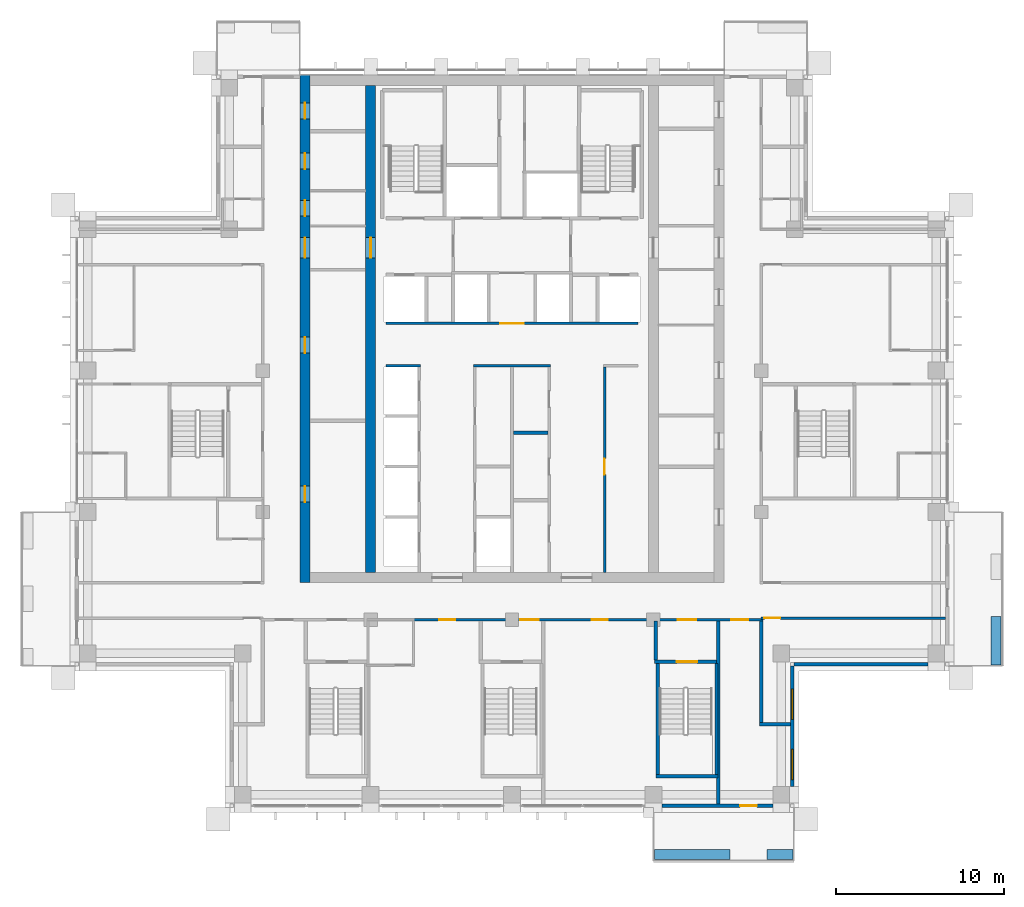
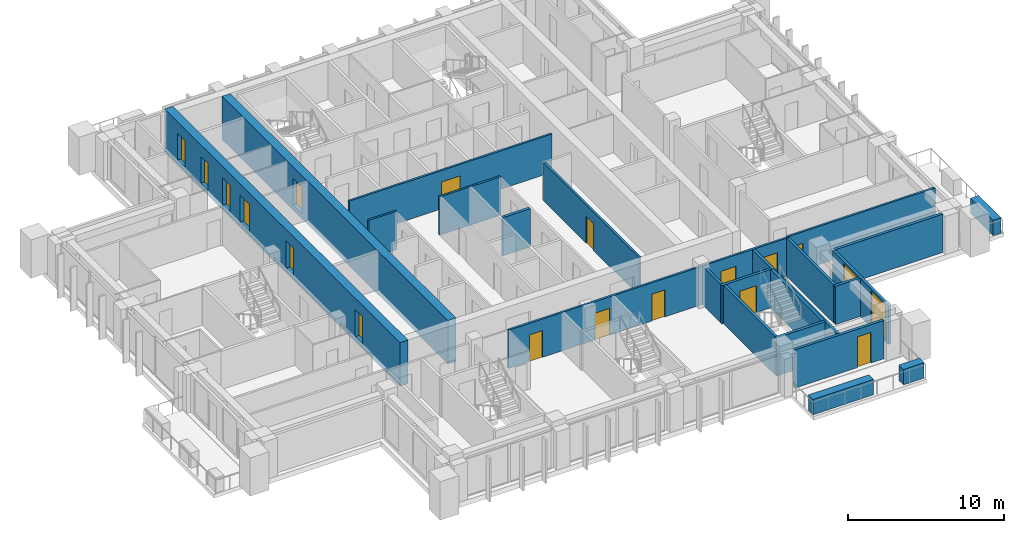
# One storey, part 11 of 19: 23 walls, 17 doors, 2 windows, 19 openings.
"""IFC4 building model written with IfcOpenShell, lengths in metres."""

from ifc_helpers import new_model, si_unit, direction, frame, frame_2d, origin, place, context, subcontext, project, spatial, rectangle, extrude, material, layer, layer_set, type_object, element, fill, save


model = new_model("IFC4")

# Units and contexts
model_context = context("Model", 3, precision=1e-05, world=origin(), true_north=direction((0.0, 1.0)))
body_context = subcontext(model_context, "Body", "Model", "MODEL_VIEW")
ifc_project = project(units=[si_unit("LENGTHUNIT", "METRE"), si_unit("AREAUNIT", "SQUARE_METRE"), si_unit("VOLUMEUNIT", "CUBIC_METRE"), si_unit("PLANEANGLEUNIT", "RADIAN"), si_unit("MASSUNIT", "GRAM", prefix="KILO")], contexts=[model_context])

# Site, building, storey
site_placement = place(None, origin())
site = spatial("IfcSite", under=ifc_project, at=site_placement, CompositionType="ELEMENT")
building_placement = place(site_placement, origin())
building = spatial("IfcBuilding", under=site, at=building_placement, Name="Vermilion Ogive Tower", CompositionType="ELEMENT")
storey_placement = place(building_placement, frame((0.0, 0.0, 213.5)))
storey = spatial("IfcBuildingStorey", under=building, at=storey_placement, Name="L56", CompositionType="ELEMENT", Elevation=213.5)

# Wall, openings, doors
ifc_material_1 = material(Name="Concrete B60", Category="concrete")
ifc_layer_1 = layer(ifc_material_1, 0.60009765625)
ifc_layer_set_1 = layer_set([ifc_layer_1], Name="Core wall 600 B60")
wall_type_1 = type_object("IfcWallType", Name="Core wall 600 B60", PredefinedType="SHEAR", material=ifc_layer_set_1)
wall_1_placement = place(storey_placement, frame((-12.300048828125, -8.39990234375, -0.39990234375), z_axis=(0.0, 0.0, 1.0), x_axis=(0.0, 1.0, 0.0)))
wall_1 = element("IfcWall", 1, at=wall_1_placement, inside=storey, type_object=wall_type_1, Name="L56-CORE-W", PredefinedType="SHEAR", context=body_context, shape_type="SweptSolid", body=[
    extrude(rectangle(XDim=30.14990234375, YDim=0.60009765625, at=frame_2d((15.074951171875, 0.0))), origin(), (0.0, 0.0, 1.0), 3.39990234375),
])
opening_1_placement = place(wall_1_placement, frame((4.78759765625, 0.0, 0.39990234375)))
opening_1 = element("IfcOpeningElement", 2, at=opening_1_placement, cuts=wall_1, Name="Opening DAD095", PredefinedType="OPENING", context=body_context, shape_type="SweptSolid", body=[
    extrude(rectangle(XDim=0.949951171875, YDim=2.10009765625, at=frame_2d((0.47509765625, 1.050048828125))), frame((0.0, 0.31005859375, 0.0), z_axis=(0.0, -1.0, 0.0), x_axis=(1.0, 0.0, 0.0)), (0.0, 0.0, 1.0), 0.6201171875),
])
opening_2_placement = place(wall_1_placement, frame((13.6376953125, 0.0, 0.39990234375)))
opening_2 = element("IfcOpeningElement", 3, at=opening_2_placement, cuts=wall_1, Name="Opening DAD096", PredefinedType="OPENING", context=body_context, shape_type="SweptSolid", body=[
    extrude(rectangle(XDim=0.949951171875, YDim=2.10009765625, at=frame_2d((0.47509765625, 1.050048828125))), frame((0.0, 0.31005859375, 0.0), z_axis=(0.0, -1.0, 0.0), x_axis=(1.0, 0.0, 0.0)), (0.0, 0.0, 1.0), 0.6201171875),
])
opening_3_placement = place(wall_1_placement, frame((21.7705078125, 0.0, 0.39990234375)))
opening_3 = element("IfcOpeningElement", 4, at=opening_3_placement, cuts=wall_1, Name="Opening DAD097", PredefinedType="OPENING", context=body_context, shape_type="SweptSolid", body=[
    extrude(rectangle(XDim=0.949951171875, YDim=2.10009765625, at=frame_2d((0.47509765625, 1.050048828125))), frame((0.0, 0.31005859375, 0.0), z_axis=(0.0, -1.0, 0.0), x_axis=(1.0, 0.0, 0.0)), (0.0, 0.0, 1.0), 0.6201171875),
])
opening_4_placement = place(wall_1_placement, frame((24.57568359375, 0.0, 0.39990234375)))
opening_4 = element("IfcOpeningElement", 5, at=opening_4_placement, cuts=wall_1, Name="Opening DAD098", PredefinedType="OPENING", context=body_context, shape_type="SweptSolid", body=[
    extrude(rectangle(XDim=0.949951171875, YDim=2.10009765625, at=frame_2d((0.47509765625, 1.050048828125))), frame((0.0, 0.31005859375, 0.0), z_axis=(0.0, -1.0, 0.0), x_axis=(1.0, 0.0, 0.0)), (0.0, 0.0, 1.0), 0.6201171875),
])
opening_5_placement = place(wall_1_placement, frame((27.555419921875, 0.0, 0.39990234375)))
opening_5 = element("IfcOpeningElement", 6, at=opening_5_placement, cuts=wall_1, Name="Opening DAD099", PredefinedType="OPENING", context=body_context, shape_type="SweptSolid", body=[
    extrude(rectangle(XDim=0.949951171875, YDim=2.10009765625, at=frame_2d((0.47509765625, 1.050048828125))), frame((0.0, 0.31005859375, 0.0), z_axis=(0.0, -1.0, 0.0), x_axis=(1.0, 0.0, 0.0)), (0.0, 0.0, 1.0), 0.6201171875),
])
opening_6_placement = place(wall_1_placement, frame((19.300048828125, 0.0, 0.39990234375)))
opening_6 = element("IfcOpeningElement", 7, at=opening_6_placement, cuts=wall_1, Name="Opening DAM023", PredefinedType="OPENING", context=body_context, shape_type="SweptSolid", body=[
    extrude(rectangle(XDim=1.199951171875, YDim=2.10009765625, at=frame_2d((0.60009765625, 1.050048828125))), frame((0.0, 0.31005859375, 0.0), z_axis=(0.0, -1.0, 0.0), x_axis=(1.0, 0.0, 0.0)), (0.0, 0.0, 1.0), 0.6201171875),
])
ifc_material_2 = material(Name="Timber door leaf", Category="wood")
door_type_1 = type_object("IfcDoorType", Name="Link door 1200 x 2100 FD60S", OperationType="SINGLE_SWING_LEFT", PredefinedType="DOOR", material=ifc_material_2)
door_1_placement = place(opening_6_placement, origin())
door_1 = element("IfcDoor", 8, at=door_1_placement, inside=storey, type_object=door_type_1, Name="L56-CKW-XL", OperationType="SINGLE_SWING_LEFT", OverallHeight=2.10009765625, OverallWidth=1.199951171875, PredefinedType="DOOR", context=body_context, shape_type="SweptSolid", body=[
    extrude(rectangle(XDim=1.199951171875, YDim=2.10009765625, at=frame_2d((0.60009765625, 1.050048828125))), frame((0.0, 0.02490234375, 0.0), z_axis=(0.0, -1.0, 0.0), x_axis=(1.0, 0.0, 0.0)), (0.0, 0.0, 1.0), 0.050048828125),
])
fill(opening_6, door_1)
ifc_material_3 = material(Name="Timber door leaf", Category="wood")
door_type_2 = type_object("IfcDoorType", Name="Service door 950 x 2100 FD60", OperationType="SINGLE_SWING_LEFT", PredefinedType="DOOR", material=ifc_material_3)
door_2_placement = place(opening_1_placement, origin())
door_2 = element("IfcDoor", 9, at=door_2_placement, inside=storey, type_object=door_type_2, Name="L56-CKW-XR0", OperationType="SINGLE_SWING_LEFT", OverallHeight=2.10009765625, OverallWidth=0.949951171875, PredefinedType="DOOR", context=body_context, shape_type="SweptSolid", body=[
    extrude(rectangle(XDim=0.949951171875, YDim=2.10009765625, at=frame_2d((0.47509765625, 1.050048828125))), frame((0.0, 0.02490234375, 0.0), z_axis=(0.0, -1.0, 0.0), x_axis=(1.0, 0.0, 0.0)), (0.0, 0.0, 1.0), 0.050048828125),
])
fill(opening_1, door_2)
door_3_placement = place(opening_2_placement, origin())
door_3 = element("IfcDoor", 10, at=door_3_placement, inside=storey, type_object=door_type_2, Name="L56-CKW-XR1", OperationType="SINGLE_SWING_LEFT", OverallHeight=2.10009765625, OverallWidth=0.949951171875, PredefinedType="DOOR", context=body_context, shape_type="SweptSolid", body=[
    extrude(rectangle(XDim=0.949951171875, YDim=2.10009765625, at=frame_2d((0.47509765625, 1.050048828125))), frame((0.0, 0.02490234375, 0.0), z_axis=(0.0, -1.0, 0.0), x_axis=(1.0, 0.0, 0.0)), (0.0, 0.0, 1.0), 0.050048828125),
])
fill(opening_2, door_3)
door_4_placement = place(opening_3_placement, origin())
door_4 = element("IfcDoor", 11, at=door_4_placement, inside=storey, type_object=door_type_2, Name="L56-CKW-XR2", OperationType="SINGLE_SWING_LEFT", OverallHeight=2.10009765625, OverallWidth=0.949951171875, PredefinedType="DOOR", context=body_context, shape_type="SweptSolid", body=[
    extrude(rectangle(XDim=0.949951171875, YDim=2.10009765625, at=frame_2d((0.47509765625, 1.050048828125))), frame((0.0, 0.02490234375, 0.0), z_axis=(0.0, -1.0, 0.0), x_axis=(1.0, 0.0, 0.0)), (0.0, 0.0, 1.0), 0.050048828125),
])
fill(opening_3, door_4)
door_5_placement = place(opening_4_placement, origin())
door_5 = element("IfcDoor", 12, at=door_5_placement, inside=storey, type_object=door_type_2, Name="L56-CKW-XR3", OperationType="SINGLE_SWING_LEFT", OverallHeight=2.10009765625, OverallWidth=0.949951171875, PredefinedType="DOOR", context=body_context, shape_type="SweptSolid", body=[
    extrude(rectangle(XDim=0.949951171875, YDim=2.10009765625, at=frame_2d((0.47509765625, 1.050048828125))), frame((0.0, 0.02490234375, 0.0), z_axis=(0.0, -1.0, 0.0), x_axis=(1.0, 0.0, 0.0)), (0.0, 0.0, 1.0), 0.050048828125),
])
fill(opening_4, door_5)
door_6_placement = place(opening_5_placement, origin())
door_6 = element("IfcDoor", 13, at=door_6_placement, inside=storey, type_object=door_type_2, Name="L56-CKW-XR4", OperationType="SINGLE_SWING_LEFT", OverallHeight=2.10009765625, OverallWidth=0.949951171875, PredefinedType="DOOR", context=body_context, shape_type="SweptSolid", body=[
    extrude(rectangle(XDim=0.949951171875, YDim=2.10009765625, at=frame_2d((0.47509765625, 1.050048828125))), frame((0.0, 0.02490234375, 0.0), z_axis=(0.0, -1.0, 0.0), x_axis=(1.0, 0.0, 0.0)), (0.0, 0.0, 1.0), 0.050048828125),
])
fill(opening_5, door_6)

# Wall, opening, door
wall_2_placement = place(storey_placement, frame((-8.39990234375, -7.800048828125, -0.39990234375), z_axis=(0.0, 0.0, 1.0), x_axis=(0.0, 1.0, 0.0)))
wall_2 = element("IfcWall", 14, at=wall_2_placement, inside=storey, type_object=wall_type_1, Name="L56-CORE-WEB1", PredefinedType="SHEAR", context=body_context, shape_type="SweptSolid", body=[
    extrude(rectangle(XDim=28.949951171875, YDim=0.60009765625, at=frame_2d((14.47509765625, 0.0))), origin(), (0.0, 0.0, 1.0), 3.39990234375),
])
opening_7_placement = place(wall_2_placement, frame((18.699951171875, 0.0, 0.39990234375)))
opening_7 = element("IfcOpeningElement", 15, at=opening_7_placement, cuts=wall_2, Name="Opening DAP018", PredefinedType="OPENING", context=body_context, shape_type="SweptSolid", body=[
    extrude(rectangle(XDim=1.199951171875, YDim=2.10009765625, at=frame_2d((0.60009765625, 1.050048828125))), frame((0.0, 0.31005859375, 0.0), z_axis=(0.0, -1.0, 0.0), x_axis=(1.0, 0.0, 0.0)), (0.0, 0.0, 1.0), 0.6201171875),
])
door_7_placement = place(opening_7_placement, origin())
door_7 = element("IfcDoor", 16, at=door_7_placement, inside=storey, type_object=door_type_1, Name="L56-CKW-XW", OperationType="SINGLE_SWING_LEFT", OverallHeight=2.10009765625, OverallWidth=1.199951171875, PredefinedType="DOOR", context=body_context, shape_type="SweptSolid", body=[
    extrude(rectangle(XDim=1.199951171875, YDim=2.10009765625, at=frame_2d((0.60009765625, 1.050048828125))), frame((0.0, 0.02490234375, 0.0), z_axis=(0.0, -1.0, 0.0), x_axis=(1.0, 0.0, 0.0)), (0.0, 0.0, 1.0), 0.050048828125),
])
fill(opening_7, door_7)

# Wall, openings, doors
ifc_material_4 = material(Name="Gypsum board partition on steel studs", Category="steel")
ifc_layer_2 = layer(ifc_material_4, 0.14990234375)
ifc_layer_set_2 = layer_set([ifc_layer_2], Name="Partition 150 corridor")
wall_type_2 = type_object("IfcWallType", Name="Partition 150 corridor", PredefinedType="PARTITIONING", material=ifc_layer_set_2)
wall_3_placement = place(storey_placement, frame((-5.89990234375, -10.60009765625, 0.0), z_axis=(0.0, 0.0, 1.0), x_axis=(1.0, 0.0, 0.0)))
wall_3 = element("IfcWall", 17, at=wall_3_placement, inside=storey, type_object=wall_type_2, Name="L56-W-W012", PredefinedType="PARTITIONING", context=body_context, shape_type="SweptSolid", body=[
    extrude(rectangle(XDim=20.7998046875, YDim=0.14990234375, at=frame_2d((10.39990234375, 0.0))), origin(), (0.0, 0.0, 1.0), 3.0),
])
opening_8_placement = place(wall_3_placement, frame((1.574951171875, 0.0, 0.0)))
opening_8 = element("IfcOpeningElement", 18, at=opening_8_placement, cuts=wall_3, Name="Opening D4G6011", PredefinedType="OPENING", context=body_context, shape_type="SweptSolid", body=[
    extrude(rectangle(XDim=0.949951171875, YDim=2.10009765625, at=frame_2d((0.47509765625, 1.050048828125))), frame((0.0, 0.0849609375, 0.0), z_axis=(0.0, -1.0, 0.0), x_axis=(1.0, 0.0, 0.0)), (0.0, 0.0, 1.0), 0.169921875),
])
opening_9_placement = place(wall_3_placement, frame((10.625, 0.0, 0.0)))
opening_9 = element("IfcOpeningElement", 19, at=opening_9_placement, cuts=wall_3, Name="Opening D4G6013", PredefinedType="OPENING", context=body_context, shape_type="SweptSolid", body=[
    extrude(rectangle(XDim=0.949951171875, YDim=2.10009765625, at=frame_2d((0.47509765625, 1.050048828125))), frame((0.0, 0.0849609375, 0.0), z_axis=(0.0, -1.0, 0.0), x_axis=(1.0, 0.0, 0.0)), (0.0, 0.0, 1.0), 0.169921875),
])
opening_10_placement = place(wall_3_placement, frame((6.39990234375, 0.0, 0.0)))
opening_10 = element("IfcOpeningElement", 20, at=opening_10_placement, cuts=wall_3, Name="Opening D4G6025", PredefinedType="OPENING", context=body_context, shape_type="SweptSolid", body=[
    extrude(rectangle(XDim=1.10009765625, YDim=2.10009765625, at=frame_2d((0.550048828125, 1.050048828125))), frame((0.0, 0.0849609375, 0.0), z_axis=(0.0, -1.0, 0.0), x_axis=(1.0, 0.0, 0.0)), (0.0, 0.0, 1.0), 0.169921875),
])
opening_11_placement = place(wall_3_placement, frame((15.75, 0.0, 0.0)))
opening_11 = element("IfcOpeningElement", 21, at=opening_11_placement, cuts=wall_3, Name="Opening D4G6027", PredefinedType="OPENING", context=body_context, shape_type="SweptSolid", body=[
    extrude(rectangle(XDim=1.10009765625, YDim=2.10009765625, at=frame_2d((0.550048828125, 1.050048828125))), frame((0.0, 0.0849609375, 0.0), z_axis=(0.0, -1.0, 0.0), x_axis=(1.0, 0.0, 0.0)), (0.0, 0.0, 1.0), 0.169921875),
])
opening_12_placement = place(wall_3_placement, frame((18.9248046875, 0.0, 0.0)))
opening_12 = element("IfcOpeningElement", 22, at=opening_12_placement, cuts=wall_3, Name="Opening D4G6034", PredefinedType="OPENING", context=body_context, shape_type="SweptSolid", body=[
    extrude(rectangle(XDim=1.0, YDim=2.10009765625, at=frame_2d((0.5, 1.050048828125))), frame((0.0, 0.0849609375, 0.0), z_axis=(0.0, -1.0, 0.0), x_axis=(1.0, 0.0, 0.0)), (0.0, 0.0, 1.0), 0.169921875),
])
ifc_material_5 = material(Name="Timber door leaf", Category="wood")
door_type_3 = type_object("IfcDoorType", Name="Stair door 1100 x 2100 FD60S", OperationType="SINGLE_SWING_LEFT", PredefinedType="DOOR", material=ifc_material_5)
door_8_placement = place(opening_10_placement, origin())
door_8 = element("IfcDoor", 23, at=door_8_placement, inside=storey, type_object=door_type_3, Name="L56-D-D025", OperationType="SINGLE_SWING_LEFT", OverallHeight=2.10009765625, OverallWidth=1.10009765625, PredefinedType="DOOR", context=body_context, shape_type="SweptSolid", body=[
    extrude(rectangle(XDim=1.10009765625, YDim=2.10009765625, at=frame_2d((0.550048828125, 1.050048828125))), frame((0.0, 0.02490234375, 0.0), z_axis=(0.0, -1.0, 0.0), x_axis=(1.0, 0.0, 0.0)), (0.0, 0.0, 1.0), 0.050048828125),
])
fill(opening_10, door_8)
door_9_placement = place(opening_11_placement, origin())
door_9 = element("IfcDoor", 24, at=door_9_placement, inside=storey, type_object=door_type_3, Name="L56-D-D027", OperationType="SINGLE_SWING_LEFT", OverallHeight=2.10009765625, OverallWidth=1.10009765625, PredefinedType="DOOR", context=body_context, shape_type="SweptSolid", body=[
    extrude(rectangle(XDim=1.10009765625, YDim=2.10009765625, at=frame_2d((0.550048828125, 1.050048828125))), frame((0.0, 0.02490234375, 0.0), z_axis=(0.0, -1.0, 0.0), x_axis=(1.0, 0.0, 0.0)), (0.0, 0.0, 1.0), 0.050048828125),
])
fill(opening_11, door_9)
ifc_material_6 = material(Name="Timber door leaf", Category="wood")
door_type_4 = type_object("IfcDoorType", Name="Unit door 1000 x 2100 FD30S", OperationType="SINGLE_SWING_LEFT", PredefinedType="DOOR", material=ifc_material_6)
door_10_placement = place(opening_12_placement, origin())
door_10 = element("IfcDoor", 25, at=door_10_placement, inside=storey, type_object=door_type_4, Name="L56-D-D034", OperationType="SINGLE_SWING_LEFT", OverallHeight=2.10009765625, OverallWidth=1.0, PredefinedType="DOOR", context=body_context, shape_type="SweptSolid", body=[
    extrude(rectangle(XDim=1.0, YDim=2.10009765625, at=frame_2d((0.5, 1.050048828125))), frame((0.0, 0.02490234375, 0.0), z_axis=(0.0, -1.0, 0.0), x_axis=(1.0, 0.0, 0.0)), (0.0, 0.0, 1.0), 0.050048828125),
])
fill(opening_12, door_10)
ifc_material_7 = material(Name="Timber door leaf", Category="wood")
door_type_5 = type_object("IfcDoorType", Name="Unit door 950 x 2100 FD30S", OperationType="SINGLE_SWING_LEFT", PredefinedType="DOOR", material=ifc_material_7)
door_11_placement = place(opening_8_placement, origin())
door_11 = element("IfcDoor", 26, at=door_11_placement, inside=storey, type_object=door_type_5, Name="L56-D-D011", OperationType="SINGLE_SWING_LEFT", OverallHeight=2.10009765625, OverallWidth=0.949951171875, PredefinedType="DOOR", context=body_context, shape_type="SweptSolid", body=[
    extrude(rectangle(XDim=0.949951171875, YDim=2.10009765625, at=frame_2d((0.47509765625, 1.050048828125))), frame((0.0, 0.02490234375, 0.0), z_axis=(0.0, -1.0, 0.0), x_axis=(1.0, 0.0, 0.0)), (0.0, 0.0, 1.0), 0.050048828125),
])
fill(opening_8, door_11)
door_12_placement = place(opening_9_placement, origin())
door_12 = element("IfcDoor", 27, at=door_12_placement, inside=storey, type_object=door_type_5, Name="L56-D-D013", OperationType="SINGLE_SWING_RIGHT", OverallHeight=2.10009765625, OverallWidth=0.949951171875, PredefinedType="DOOR", context=body_context, shape_type="SweptSolid", body=[
    extrude(rectangle(XDim=0.949951171875, YDim=2.10009765625, at=frame_2d((0.47509765625, 1.050048828125))), frame((0.0, 0.02490234375, 0.0), z_axis=(0.0, -1.0, 0.0), x_axis=(1.0, 0.0, 0.0)), (0.0, 0.0, 1.0), 0.050048828125),
])
fill(opening_9, door_12)

# Wall, opening, door
wall_4_placement = place(storey_placement, frame((14.800048828125, -10.5, 0.0), z_axis=(0.0, 0.0, 1.0), x_axis=(1.0, 0.0, 0.0)))
wall_4 = element("IfcWall", 28, at=wall_4_placement, inside=storey, type_object=wall_type_2, Name="L56-W-W014", PredefinedType="PARTITIONING", context=body_context, shape_type="SweptSolid", body=[
    extrude(rectangle(XDim=10.949951171875, YDim=0.14990234375, at=frame_2d((5.47509765625, 0.0))), origin(), (0.0, 0.0, 1.0), 3.0),
])
opening_13_placement = place(wall_4_placement, frame((0.199951171875, 0.0, 0.0)))
opening_13 = element("IfcOpeningElement", 29, at=opening_13_placement, cuts=wall_4, Name="Opening D4G6014", PredefinedType="OPENING", context=body_context, shape_type="SweptSolid", body=[
    extrude(rectangle(XDim=0.949951171875, YDim=2.10009765625, at=frame_2d((0.47509765625, 1.050048828125))), frame((0.0, 0.0849609375, 0.0), z_axis=(0.0, -1.0, 0.0), x_axis=(1.0, 0.0, 0.0)), (0.0, 0.0, 1.0), 0.169921875),
])
door_13_placement = place(opening_13_placement, origin())
door_13 = element("IfcDoor", 30, at=door_13_placement, inside=storey, type_object=door_type_5, Name="L56-D-D014", OperationType="SINGLE_SWING_RIGHT", OverallHeight=2.10009765625, OverallWidth=0.949951171875, PredefinedType="DOOR", context=body_context, shape_type="SweptSolid", body=[
    extrude(rectangle(XDim=0.949951171875, YDim=2.10009765625, at=frame_2d((0.47509765625, 1.050048828125))), frame((0.0, 0.02490234375, 0.0), z_axis=(0.0, -1.0, 0.0), x_axis=(1.0, 0.0, 0.0)), (0.0, 0.0, 1.0), 0.050048828125),
])
fill(opening_13, door_13)

# Walls
wall_5_placement = place(storey_placement, frame((-7.5, 4.5, 0.0), z_axis=(0.0, 0.0, 1.0), x_axis=(1.0, 0.0, 0.0)))
element("IfcWall", 31, at=wall_5_placement, inside=storey, type_object=wall_type_2, Name="L56-CK-W-W008", PredefinedType="PARTITIONING", context=body_context, shape_type="SweptSolid", body=[
    extrude(rectangle(XDim=2.074951171875, YDim=0.14990234375, at=frame_2d((1.03759765625, 0.0))), origin(), (0.0, 0.0, 1.0), 3.0),
])
wall_6_placement = place(storey_placement, frame((-2.27490234375, 4.5, 0.0), z_axis=(0.0, 0.0, 1.0), x_axis=(1.0, 0.0, 0.0)))
element("IfcWall", 32, at=wall_6_placement, inside=storey, type_object=wall_type_2, Name="L56-CK-W-W009", PredefinedType="PARTITIONING", context=body_context, shape_type="SweptSolid", body=[
    extrude(rectangle(XDim=4.5498046875, YDim=0.14990234375, at=frame_2d((2.27490234375, 0.0))), origin(), (0.0, 0.0, 1.0), 3.0),
])

# Wall, opening, door
wall_7_placement = place(storey_placement, frame((-7.5, 7.0, 0.0), z_axis=(0.0, 0.0, 1.0), x_axis=(1.0, 0.0, 0.0)))
wall_7 = element("IfcWall", 33, at=wall_7_placement, inside=storey, type_object=wall_type_2, Name="L56-CK-W-W011", PredefinedType="PARTITIONING", context=body_context, shape_type="SweptSolid", body=[
    extrude(rectangle(XDim=15.0, YDim=0.14990234375, at=frame_2d((7.5, 0.0))), origin(), (0.0, 0.0, 1.0), 3.0),
])
opening_14_placement = place(wall_7_placement, frame((6.800048828125, 0.0, 0.0)))
opening_14 = element("IfcOpeningElement", 34, at=opening_14_placement, cuts=wall_7, Name="Opening DAA516", PredefinedType="OPENING", context=body_context, shape_type="SweptSolid", body=[
    extrude(rectangle(XDim=1.39990234375, YDim=2.10009765625, at=frame_2d((0.699951171875, 1.050048828125))), frame((0.0, 0.0849609375, 0.0), z_axis=(0.0, -1.0, 0.0), x_axis=(1.0, 0.0, 0.0)), (0.0, 0.0, 1.0), 0.169921875),
])
ifc_material_8 = material(Name="Timber door leaf", Category="wood")
door_type_6 = type_object("IfcDoorType", Name="Lobby door 1400 x 2100 FD60S", OperationType="SINGLE_SWING_LEFT", PredefinedType="DOOR", material=ifc_material_8)
door_14_placement = place(opening_14_placement, origin())
door_14 = element("IfcDoor", 35, at=door_14_placement, inside=storey, type_object=door_type_6, Name="L56-CK-D-D016", OperationType="SINGLE_SWING_RIGHT", OverallHeight=2.10009765625, OverallWidth=1.39990234375, PredefinedType="DOOR", context=body_context, shape_type="SweptSolid", body=[
    extrude(rectangle(XDim=1.39990234375, YDim=2.10009765625, at=frame_2d((0.699951171875, 1.050048828125))), frame((0.0, 0.02490234375, 0.0), z_axis=(0.0, -1.0, 0.0), x_axis=(1.0, 0.0, 0.0)), (0.0, 0.0, 1.0), 0.050048828125),
])
fill(opening_14, door_14)

wall_8_placement = place(storey_placement, frame((5.5, -7.799072265625, 0.0), z_axis=(0.0, 0.0, 1.0), x_axis=(0.0, 1.0, 0.0)))
wall_8 = element("IfcWall", 36, at=wall_8_placement, inside=storey, type_object=wall_type_2, Name="L56-CK-W-W038", PredefinedType="PARTITIONING", context=body_context, shape_type="SweptSolid", body=[
    extrude(rectangle(XDim=12.22412109375, YDim=0.14990234375, at=frame_2d((6.112060546875, 0.0))), origin(), (0.0, 0.0, 1.0), 3.0),
])
opening_15_placement = place(wall_8_placement, frame((5.823974609375, 0.0, 0.0)))
opening_15 = element("IfcOpeningElement", 37, at=opening_15_placement, cuts=wall_8, Name="Opening DAA524", PredefinedType="OPENING", context=body_context, shape_type="SweptSolid", body=[
    extrude(rectangle(XDim=0.949951171875, YDim=2.10009765625, at=frame_2d((0.47509765625, 1.050048828125))), frame((0.0, 0.0849609375, 0.0), z_axis=(0.0, -1.0, 0.0), x_axis=(1.0, 0.0, 0.0)), (0.0, 0.0, 1.0), 0.169921875),
])
door_15_placement = place(opening_15_placement, origin())
door_15 = element("IfcDoor", 38, at=door_15_placement, inside=storey, type_object=door_type_2, Name="L56-CK-D-D011", OperationType="SINGLE_SWING_LEFT", OverallHeight=2.10009765625, OverallWidth=0.949951171875, PredefinedType="DOOR", context=body_context, shape_type="SweptSolid", body=[
    extrude(rectangle(XDim=0.949951171875, YDim=2.10009765625, at=frame_2d((0.47509765625, 1.050048828125))), frame((0.0, 0.02490234375, 0.0), z_axis=(0.0, -1.0, 0.0), x_axis=(1.0, 0.0, 0.0)), (0.0, 0.0, 1.0), 0.050048828125),
])
fill(opening_15, door_15)

# Walls
ifc_material_9 = material(Name="Gypsum board partition on steel studs", Category="steel")
ifc_layer_3 = layer(ifc_material_9, 0.199951171875)
ifc_layer_set_3 = layer_set([ifc_layer_3], Name="Partition 200 party")
wall_type_3 = type_object("IfcWallType", Name="Partition 200 party", PredefinedType="PARTITIONING", material=ifc_layer_set_3)
wall_9_placement = place(storey_placement, frame((14.701904296875, -16.800048828125, 0.0), z_axis=(0.0, 0.0, 1.0), x_axis=(1.0, 0.0, 0.0)))
element("IfcWall", 39, at=wall_9_placement, inside=storey, type_object=wall_type_3, Name="L56-W-W005", PredefinedType="PARTITIONING", context=body_context, shape_type="SweptSolid", body=[
    extrude(rectangle(XDim=1.84814453125, YDim=0.199951171875, at=frame_2d((0.924072265625, 0.0))), origin(), (0.0, 0.0, 1.0), 3.0),
])
wall_10_placement = place(storey_placement, frame((8.550048828125, -12.998046875, 0.0), z_axis=(0.0, 0.0, 1.0), x_axis=(0.0, 1.0, 0.0)))
element("IfcWall", 40, at=wall_10_placement, inside=storey, type_object=wall_type_3, Name="L56-W-W063", PredefinedType="PARTITIONING", context=body_context, shape_type="SweptSolid", body=[
    extrude(rectangle(XDim=2.322998046875, YDim=0.199951171875, at=frame_2d((1.16162109375, 0.0))), origin(), (0.0, 0.0, 1.0), 3.0),
])
wall_11_placement = place(storey_placement, frame((14.800048828125, -16.697998046875, 0.0), z_axis=(0.0, 0.0, 1.0), x_axis=(0.0, 1.0, 0.0)))
element("IfcWall", 41, at=wall_11_placement, inside=storey, type_object=wall_type_3, Name="L56-W-W067", PredefinedType="PARTITIONING", context=body_context, shape_type="SweptSolid", body=[
    extrude(rectangle(XDim=6.02294921875, YDim=0.199951171875, at=frame_2d((3.011474609375, 0.0))), origin(), (0.0, 0.0, 1.0), 3.0),
])
wall_12_placement = place(storey_placement, frame((0.10009765625, 0.5, 0.0), z_axis=(0.0, 0.0, 1.0), x_axis=(1.0, 0.0, 0.0)))
element("IfcWall", 42, at=wall_12_placement, inside=storey, type_object=wall_type_3, Name="L56-CK-W-W006", PredefinedType="PARTITIONING", context=body_context, shape_type="SweptSolid", body=[
    extrude(rectangle(XDim=2.02490234375, YDim=0.199951171875, at=frame_2d((1.012451171875, 0.0))), origin(), (0.0, 0.0, 1.0), 3.0),
])
ifc_material_10 = material(Name="Concrete B60", Category="concrete")
ifc_layer_4 = layer(ifc_material_10, 0.199951171875)
ifc_layer_set_4 = layer_set([ifc_layer_4], Name="Stair shaft wall 200 Concrete B60")
wall_type_4 = type_object("IfcWallType", Name="Stair shaft wall 200 Concrete B60", PredefinedType="SOLIDWALL", material=ifc_layer_set_4)
wall_13_placement = place(storey_placement, frame((8.552001953125, -19.89990234375, 0.0), z_axis=(0.0, 0.0, 1.0), x_axis=(1.0, 0.0, 0.0)))
element("IfcWall", 43, at=wall_13_placement, inside=storey, type_object=wall_type_4, Name="L56-W-W003", PredefinedType="SOLIDWALL", context=body_context, shape_type="SweptSolid", body=[
    extrude(rectangle(XDim=3.696044921875, YDim=0.199951171875, at=frame_2d((1.84814453125, 0.0))), origin(), (0.0, 0.0, 1.0), 3.0),
])

# Wall, opening, door
wall_14_placement = place(storey_placement, frame((8.451904296875, -13.10009765625, 0.0), z_axis=(0.0, 0.0, 1.0), x_axis=(1.0, 0.0, 0.0)))
wall_14 = element("IfcWall", 44, at=wall_14_placement, inside=storey, type_object=wall_type_4, Name="L56-W-W009", PredefinedType="SOLIDWALL", context=body_context, shape_type="SweptSolid", body=[
    extrude(rectangle(XDim=3.696044921875, YDim=0.199951171875, at=frame_2d((1.84814453125, 0.0))), origin(), (0.0, 0.0, 1.0), 3.0),
])
opening_16_placement = place(wall_14_placement, frame((1.34814453125, 0.0, 0.0)))
opening_16 = element("IfcOpeningElement", 45, at=opening_16_placement, cuts=wall_14, Name="Opening D4G6028", PredefinedType="OPENING", context=body_context, shape_type="SweptSolid", body=[
    extrude(rectangle(XDim=1.199951171875, YDim=2.10009765625, at=frame_2d((0.60009765625, 1.050048828125))), frame((0.0, 0.10986328125, 0.0), z_axis=(0.0, -1.0, 0.0), x_axis=(1.0, 0.0, 0.0)), (0.0, 0.0, 1.0), 0.219970703125),
])
ifc_material_11 = material(Name="Timber door leaf", Category="wood")
door_type_7 = type_object("IfcDoorType", Name="Stair door 1200 x 2100 FD60S", OperationType="SINGLE_SWING_LEFT", PredefinedType="DOOR", material=ifc_material_11)
door_16_placement = place(opening_16_placement, origin())
door_16 = element("IfcDoor", 46, at=door_16_placement, inside=storey, type_object=door_type_7, Name="L56-D-D028", OperationType="SINGLE_SWING_RIGHT", OverallHeight=2.10009765625, OverallWidth=1.199951171875, PredefinedType="DOOR", context=body_context, shape_type="SweptSolid", body=[
    extrude(rectangle(XDim=1.199951171875, YDim=2.10009765625, at=frame_2d((0.60009765625, 1.050048828125))), frame((0.0, 0.02490234375, 0.0), z_axis=(0.0, -1.0, 0.0), x_axis=(1.0, 0.0, 0.0)), (0.0, 0.0, 1.0), 0.050048828125),
])
fill(opening_16, door_16)

# Walls
for number, where, z_axis, x_axis, name in (
    (47, (8.64990234375, -19.798095703125, 0.0), (0.0, 0.0, 1.0), (0.0, 1.0, 0.0), "L56-W-W064"),
    (48, (12.14990234375, -19.798095703125, 0.0), (0.0, 0.0, 1.0), (0.0, 1.0, 0.0), "L56-W-W065"),
):
    element("IfcWall", number, at=place(storey_placement, frame(where, z_axis=z_axis, x_axis=x_axis)), inside=storey, type_object=wall_type_4, Name=name, PredefinedType="SOLIDWALL", context=body_context, shape_type="SweptSolid", body=[
        extrude(rectangle(XDim=6.59619140625, YDim=0.199951171875, at=frame_2d((3.298095703125, 0.0))), origin(), (0.0, 0.0, 1.0), 3.0),
    ])
wall_15_placement = place(storey_placement, frame((12.25, -21.550048828125, 0.0), z_axis=(0.0, 0.0, 1.0), x_axis=(0.0, 1.0, 0.0)))
element("IfcWall", 49, at=wall_15_placement, inside=storey, type_object=wall_type_4, Name="L56-W-W066-A", PredefinedType="SOLIDWALL", context=body_context, shape_type="SweptSolid", body=[
    extrude(rectangle(XDim=10.875, YDim=0.199951171875, at=frame_2d((5.4375, 0.0))), origin(), (0.0, 0.0, 1.0), 3.0),
])
ifc_material_12 = material(Name="Concrete B40", Category="concrete")
ifc_layer_5 = layer(ifc_material_12, 0.60009765625)
ifc_layer_set_5 = layer_set([ifc_layer_5], Name="Structural planter")
wall_type_5 = type_object("IfcWallType", Name="Structural planter", PredefinedType="USERDEFINED", material=ifc_layer_set_5)
wall_16_placement = place(storey_placement, frame((8.4599609375, -24.550048828125, -0.0400390625), z_axis=(0.0, 0.0, 1.0), x_axis=(1.0, 0.0, 0.0)))
element("IfcWall", 50, at=wall_16_placement, inside=storey, type_object=wall_type_5, Name="Planter S04A1", ObjectType="PLANTER", PredefinedType="USERDEFINED", context=body_context, shape_type="SweptSolid", body=[
    extrude(rectangle(XDim=4.489990234375, YDim=0.60009765625, at=frame_2d((2.2451171875, 0.0))), origin(), (0.0, 0.0, 1.0), 1.199951171875),
])
wall_17_placement = place(storey_placement, frame((15.14990234375, -24.550048828125, -0.0400390625), z_axis=(0.0, 0.0, 1.0), x_axis=(1.0, 0.0, 0.0)))
element("IfcWall", 51, at=wall_17_placement, inside=storey, type_object=wall_type_5, Name="Planter S04A2", ObjectType="PLANTER", PredefinedType="USERDEFINED", context=body_context, shape_type="SweptSolid", body=[
    extrude(rectangle(XDim=1.5400390625, YDim=0.60009765625, at=frame_2d((0.77001953125, 0.0))), origin(), (0.0, 0.0, 1.0), 1.199951171875),
])
wall_18_placement = place(storey_placement, frame((28.75, -13.2900390625, -0.0400390625), z_axis=(0.0, 0.0, 1.0), x_axis=(0.0, 1.0, 0.0)))
element("IfcWall", 52, at=wall_18_placement, inside=storey, type_object=wall_type_5, Name="Planter E01A1", ObjectType="PLANTER", PredefinedType="USERDEFINED", context=body_context, shape_type="SweptSolid", body=[
    extrude(rectangle(XDim=2.89013671875, YDim=0.60009765625, at=frame_2d((1.445068359375, 0.0))), origin(), (0.0, 0.0, 1.0), 1.199951171875),
])

# Wall, opening, door
ifc_material_13 = material(Name="Aluminium window wall framing", Category="aluminium")
ifc_layer_6 = layer(ifc_material_13, 0.199951171875)
ifc_layer_set_6 = layer_set([ifc_layer_6], Name="Window wall")
wall_type_6 = type_object("IfcWallType", Name="Window wall", PredefinedType="STANDARD", material=ifc_layer_set_6)
wall_19_placement = place(storey_placement, frame((8.89990234375, -21.64990234375, 0.0), z_axis=(0.0, 0.0, 1.0), x_axis=(1.0, 0.0, 0.0)))
wall_19 = element("IfcWall", 53, at=wall_19_placement, inside=storey, type_object=wall_type_6, Name="Window wall S4", PredefinedType="STANDARD", context=body_context, shape_type="SweptSolid", body=[
    extrude(rectangle(XDim=6.60009765625, YDim=0.199951171875, at=frame_2d((3.300048828125, 0.0))), origin(), (0.0, 0.0, 1.0), 3.0),
])
opening_17_placement = place(wall_19_placement, frame((4.64990234375, 0.0, 0.0)))
opening_17 = element("IfcOpeningElement", 54, at=opening_17_placement, cuts=wall_19, Name="Opening D1-S03K", PredefinedType="OPENING", context=body_context, shape_type="SweptSolid", body=[
    extrude(rectangle(XDim=1.0, YDim=2.39990234375, at=frame_2d((0.5, 1.199951171875))), frame((0.0, 0.10986328125, 0.0), z_axis=(0.0, -1.0, 0.0), x_axis=(1.0, 0.0, 0.0)), (0.0, 0.0, 1.0), 0.219970703125),
])
ifc_material_14 = material(Name="Aluminium framed glazed door", Category="aluminium")
door_type_8 = type_object("IfcDoorType", Name="Balcony door D1", OperationType="SINGLE_SWING_LEFT", PredefinedType="DOOR", material=ifc_material_14)
door_17_placement = place(opening_17_placement, origin())
door_17 = element("IfcDoor", 55, at=door_17_placement, inside=storey, type_object=door_type_8, Name="Balcony door S03K", OperationType="SINGLE_SWING_LEFT", OverallHeight=2.39990234375, OverallWidth=1.0, PredefinedType="DOOR", context=body_context, shape_type="SweptSolid", body=[
    extrude(rectangle(XDim=1.0, YDim=2.39990234375, at=frame_2d((0.5, 1.199951171875))), frame((0.0, 0.02490234375, 0.0), z_axis=(0.0, -1.0, 0.0), x_axis=(1.0, 0.0, 0.0)), (0.0, 0.0, 1.0), 0.050048828125),
])
fill(opening_17, door_17)

# Wall, openings, windows
wall_20_placement = place(storey_placement, frame((16.64990234375, -20.5, 0.0), z_axis=(0.0, 0.0, 1.0), x_axis=(0.0, 1.0, 0.0)))
wall_20 = element("IfcWall", 56, at=wall_20_placement, inside=storey, type_object=wall_type_6, Name="Window wall X11", PredefinedType="STANDARD", context=body_context, shape_type="SweptSolid", body=[
    extrude(rectangle(XDim=7.14990234375, YDim=0.199951171875, at=frame_2d((3.574951171875, 0.0))), origin(), (0.0, 0.0, 1.0), 3.0),
])
opening_18_placement = place(wall_20_placement, frame((0.39990234375, 0.0, 0.199951171875)))
opening_18 = element("IfcOpeningElement", 57, at=opening_18_placement, cuts=wall_20, Name="Opening W1-X195", PredefinedType="OPENING", context=body_context, shape_type="SweptSolid", body=[
    extrude(rectangle(XDim=1.800048828125, YDim=2.64990234375, at=frame_2d((0.89990234375, 1.324951171875))), frame((0.0, 0.10986328125, 0.0), z_axis=(0.0, -1.0, 0.0), x_axis=(1.0, 0.0, 0.0)), (0.0, 0.0, 1.0), 0.219970703125),
])
opening_19_placement = place(wall_20_placement, frame((3.97509765625, 0.0, 0.199951171875)))
opening_19 = element("IfcOpeningElement", 58, at=opening_19_placement, cuts=wall_20, Name="Opening W1-X196", PredefinedType="OPENING", context=body_context, shape_type="SweptSolid", body=[
    extrude(rectangle(XDim=1.800048828125, YDim=2.64990234375, at=frame_2d((0.89990234375, 1.324951171875))), frame((0.0, 0.10986328125, 0.0), z_axis=(0.0, -1.0, 0.0), x_axis=(1.0, 0.0, 0.0)), (0.0, 0.0, 1.0), 0.219970703125),
])
ifc_material_15 = material(Name="Aluminium framed double glazing", Category="aluminium")
window_type = type_object("IfcWindowType", Name="Guest window W1", PartitioningType="SINGLE_PANEL", PredefinedType="WINDOW", material=ifc_material_15)
window_1_placement = place(opening_18_placement, origin())
window_1 = element("IfcWindow", 59, at=window_1_placement, inside=storey, type_object=window_type, Name="Window X195", OverallHeight=2.64990234375, OverallWidth=1.800048828125, PartitioningType="SINGLE_PANEL", PredefinedType="WINDOW", context=body_context, shape_type="SweptSolid", body=[
    extrude(rectangle(XDim=1.800048828125, YDim=2.64990234375, at=frame_2d((0.89990234375, 1.324951171875))), frame((0.0, 0.030029296875, 0.0), z_axis=(0.0, -1.0, 0.0), x_axis=(1.0, 0.0, 0.0)), (0.0, 0.0, 1.0), 0.06005859375),
])
fill(opening_18, window_1)
window_2_placement = place(opening_19_placement, origin())
window_2 = element("IfcWindow", 60, at=window_2_placement, inside=storey, type_object=window_type, Name="Window X196", OverallHeight=2.64990234375, OverallWidth=1.800048828125, PartitioningType="SINGLE_PANEL", PredefinedType="WINDOW", context=body_context, shape_type="SweptSolid", body=[
    extrude(rectangle(XDim=1.800048828125, YDim=2.64990234375, at=frame_2d((0.89990234375, 1.324951171875))), frame((0.0, 0.030029296875, 0.0), z_axis=(0.0, -1.0, 0.0), x_axis=(1.0, 0.0, 0.0)), (0.0, 0.0, 1.0), 0.06005859375),
])
fill(opening_19, window_2)

# Wall
wall_21_placement = place(storey_placement, frame((16.75, -13.25, 0.0), z_axis=(0.0, 0.0, 1.0), x_axis=(1.0, 0.0, 0.0)))
element("IfcWall", 61, at=wall_21_placement, inside=storey, type_object=wall_type_6, Name="Window wall X21", PredefinedType="STANDARD", context=body_context, shape_type="SweptSolid", body=[
    extrude(rectangle(XDim=7.949951171875, YDim=0.199951171875, at=frame_2d((3.97509765625, 0.0))), origin(), (0.0, 0.0, 1.0), 3.0),
])

save(model, "model.ifc")
